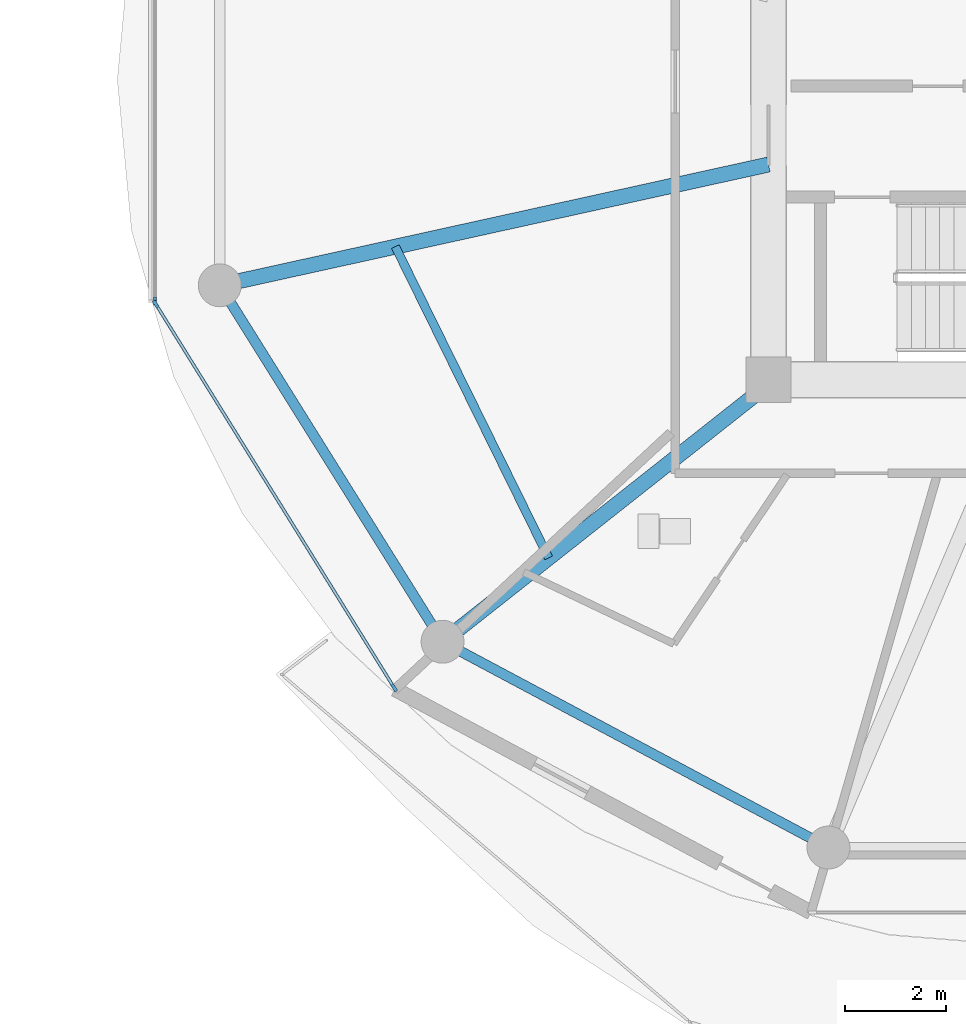
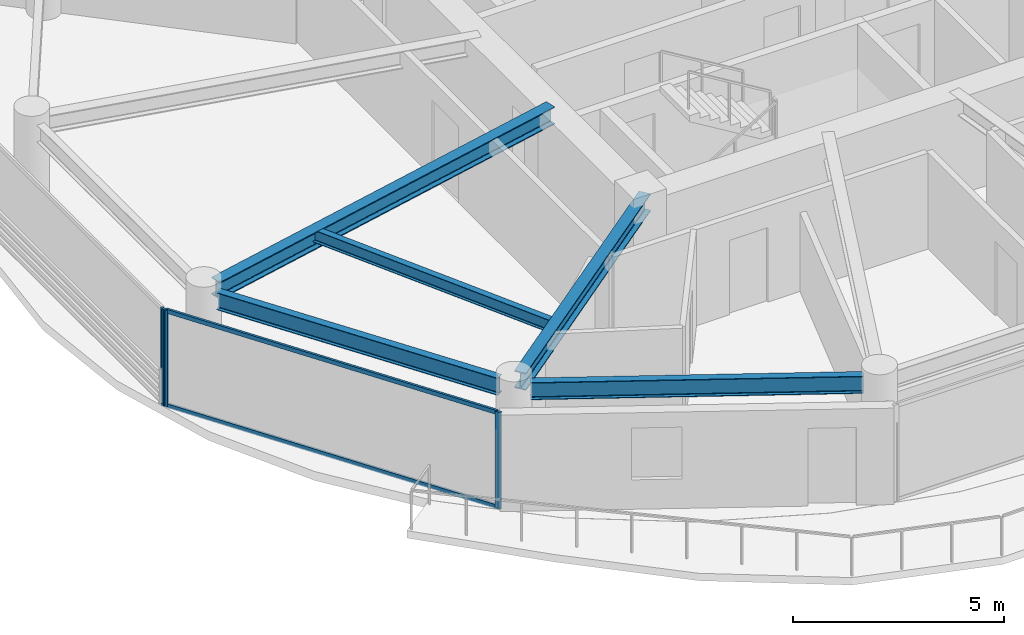
# One storey, part 6 of 25: 5 beams, 5 members, 2 elements without a shape of their own.
"""IFC4 building model written with IfcOpenShell, lengths in metres."""

from ifc_helpers import new_model, si_unit, direction, frame, origin, origin_2d, place, context, subcontext, project, spatial, rectangle, i_section, extrude, source, transform, mapped, material, layer, layer_set, material_profile, profile_set, type_object, type_shapes, element, aggregate, save


model = new_model("IFC4")

# Units and contexts
model_context = context("Model", 3, precision=1e-05, world=origin(), true_north=direction((0.0, 1.0)))
body_context = subcontext(model_context, "Body", "Model", "MODEL_VIEW")
ifc_project = project(units=[si_unit("LENGTHUNIT", "METRE"), si_unit("AREAUNIT", "SQUARE_METRE"), si_unit("VOLUMEUNIT", "CUBIC_METRE"), si_unit("PLANEANGLEUNIT", "RADIAN"), si_unit("MASSUNIT", "GRAM", prefix="KILO")], contexts=[model_context])

# Site, building, storey
site_placement = place(None, origin())
site = spatial("IfcSite", under=ifc_project, at=site_placement, CompositionType="ELEMENT")
building_placement = place(site_placement, origin())
building = spatial("IfcBuilding", under=site, at=building_placement, Name="Norrkilde Senior Care Towers", CompositionType="ELEMENT")
storey_placement = place(building_placement, frame((0.0, 0.0, 84.050048828125)))
storey = spatial("IfcBuildingStorey", under=building, at=storey_placement, Name="L25", CompositionType="ELEMENT", Elevation=84.050048828125)

# Beams
ifc_material_1 = material(Name="Steel S355", Category="steel")
ifc_material_profile_1 = material_profile(ifc_material_1, i_section(OverallWidth=0.199951171875, OverallDepth=0.5, WebThickness=0.01025390625, FlangeThickness=0.01611328125, FilletRadius=0.02099609375, at=origin_2d()), Name="IPE 500")
ifc_profile_set_1 = profile_set([ifc_material_profile_1], Name="Steel S355")
beam_type_1 = type_object("IfcBeamType", Name="Perimeter Ring Spandrel Z2 IPE500", PredefinedType="SPANDREL", material=ifc_profile_set_1)
shared_shape_1 = source(origin(), body_context, "Body", "SweptSolid", [
    extrude(i_section(OverallWidth=0.199951171875, OverallDepth=0.5, WebThickness=0.01025390625, FlangeThickness=0.01611328125, FilletRadius=0.02099609375, at=origin_2d()), origin(), (0.0, 0.0, 1.0), 7.55615234375),
])
beam_1_placement = place(storey_placement, frame((9.68505859375, -4.40283203125, 2.5400390625), z_axis=(0.529981514254, -0.848009194849, 0.0), x_axis=(0.848009194849, 0.529981514254, 0.0)))
element("IfcBeam", 1, at=beam_1_placement, inside=storey, type_object=beam_type_1, Name="L25 Drum E Perimeter Spandrel 07", PredefinedType="SPANDREL", context=body_context, shape_type="MappedRepresentation", body=[
    mapped(shared_shape_1, transform((0.0, 0.0, 0.0), x_axis=(1.0, 0.0, 0.0), y_axis=(0.0, 1.0, 0.0), z_axis=(0.0, 0.0, 1.0), scale=1.0)),
])
ifc_material_profile_2 = material_profile(ifc_material_1, i_section(OverallWidth=0.300048828125, OverallDepth=0.5, WebThickness=0.014404296875, FlangeThickness=0.028076171875, FilletRadius=0.027099609375, at=origin_2d()), Name="HEB 500")
ifc_profile_set_2 = profile_set([ifc_material_profile_2], Name="Steel S355")
beam_type_2 = type_object("IfcBeamType", Name="Radial Floor Beam Z2 HEB500", PredefinedType="BEAM", material=ifc_profile_set_2)
shared_shape_2 = source(origin(), body_context, "Body", "SweptSolid", [
    extrude(i_section(OverallWidth=0.300048828125, OverallDepth=0.5, WebThickness=0.014404296875, FlangeThickness=0.028076171875, FilletRadius=0.027099609375, at=origin_2d()), origin(), (0.0, 0.0, 1.0), 10.744384765625),
])
beam_2_placement = place(storey_placement, frame((20.35009765625, -1.683837890625, 2.5400390625), z_axis=(-0.976618711422, -0.214978818724, 0.0), x_axis=(0.214978818724, -0.976618711422, 0.0)))
element("IfcBeam", 2, at=beam_2_placement, inside=storey, type_object=beam_type_2, Name="L25 Drum E Radial Floor Beam 07", PredefinedType="BEAM", context=body_context, shape_type="MappedRepresentation", body=[
    mapped(shared_shape_2, transform((0.0, 0.0, 0.0), x_axis=(1.0, 0.0, 0.0), y_axis=(0.0, 1.0, 0.0), z_axis=(0.0, 0.0, 1.0), scale=1.0)),
])
shared_shape_3 = source(origin(), body_context, "Body", "SweptSolid", [
    extrude(i_section(OverallWidth=0.199951171875, OverallDepth=0.5, WebThickness=0.01025390625, FlangeThickness=0.01611328125, FilletRadius=0.02099609375, at=origin_2d()), origin(), (0.0, 0.0, 1.0), 7.892333984375),
])
type_shapes(beam_type_1, [shared_shape_1, shared_shape_3])
beam_3_placement = place(storey_placement, frame((14.233642578125, -11.318115234375, 2.5400390625), z_axis=(0.882350372282, -0.47059305194, 0.0), x_axis=(0.47059305194, 0.882350372282, 0.0)))
element("IfcBeam", 3, at=beam_3_placement, inside=storey, type_object=beam_type_1, Name="L25 Drum E Perimeter Spandrel 08", PredefinedType="SPANDREL", context=body_context, shape_type="MappedRepresentation", body=[
    mapped(shared_shape_3, transform((0.0, 0.0, 0.0), x_axis=(1.0, 0.0, 0.0), y_axis=(0.0, 1.0, 0.0), z_axis=(0.0, 0.0, 1.0), scale=1.0)),
])
shared_shape_4 = source(origin(), body_context, "Body", "SweptSolid", [
    extrude(i_section(OverallWidth=0.300048828125, OverallDepth=0.5, WebThickness=0.014404296875, FlangeThickness=0.028076171875, FilletRadius=0.027099609375, at=origin_2d()), origin(), (0.0, 0.0, 1.0), 7.985595703125),
])
type_shapes(beam_type_2, [shared_shape_2, shared_shape_4])
beam_4_placement = place(storey_placement, frame((20.463623046875, -5.949951171875, 2.5400390625), z_axis=(-0.784858505144, -0.619675017169, 0.0), x_axis=(0.619675017169, -0.784858505144, 0.0)))
element("IfcBeam", 4, at=beam_4_placement, inside=storey, type_object=beam_type_2, Name="L25 Drum E Radial Floor Beam 08", PredefinedType="BEAM", context=body_context, shape_type="MappedRepresentation", body=[
    mapped(shared_shape_4, transform((0.0, 0.0, 0.0), x_axis=(1.0, 0.0, 0.0), y_axis=(0.0, 1.0, 0.0), z_axis=(0.0, 0.0, 1.0), scale=1.0)),
])
ifc_material_profile_3 = material_profile(ifc_material_1, i_section(OverallWidth=0.169921875, OverallDepth=0.360107421875, WebThickness=0.008056640625, FlangeThickness=0.0126953125, FilletRadius=0.01806640625, at=origin_2d()), Name="IPE 360")
ifc_profile_set_3 = profile_set([ifc_material_profile_3], Name="Steel S355")
beam_type_3 = type_object("IfcBeamType", Name="Secondary Floor Joist IPE360", PredefinedType="JOIST", material=ifc_profile_set_3)
shared_shape_5 = source(origin(), body_context, "Body", "SweptSolid", [
    extrude(i_section(OverallWidth=0.169921875, OverallDepth=0.360107421875, WebThickness=0.008056640625, FlangeThickness=0.0126953125, FilletRadius=0.01806640625, at=origin_2d()), origin(), (0.0, 0.0, 1.0), 6.87353515625),
])
type_shapes(beam_type_3, [shared_shape_5])
beam_5_placement = place(storey_placement, frame((12.958984375, -3.310791015625, 2.60986328125), z_axis=(0.44184939592, -0.897089243791, 0.0), x_axis=(0.897089243791, 0.44184939592, 0.0)))
element("IfcBeam", 5, at=beam_5_placement, inside=storey, type_object=beam_type_3, Name="L25 Drum E Secondary Floor Joist 3", PredefinedType="JOIST", context=body_context, shape_type="MappedRepresentation", body=[
    mapped(shared_shape_5, transform((0.0, 0.0, 0.0), x_axis=(1.0, 0.0, 0.0), y_axis=(0.0, 1.0, 0.0), z_axis=(0.0, 0.0, 1.0), scale=1.0)),
])

# Curtain wall, member
ifc_material_2 = material(Name="Triple Low-E Insulated Glazing", Category="glass")
ifc_layer = layer(ifc_material_2, 0.195068359375)
ifc_layer_set = layer_set([ifc_layer], Name="Triple Low-E Insulated Glazing")
curtain_wall_type = type_object("IfcCurtainWallType", Name="CW3 Zone 2 Assisted Living Curtain Wall", PredefinedType="NOTDEFINED", material=ifc_layer_set)
curtain_wall_1_placement = place(storey_placement, origin())
curtain_wall_1 = element("IfcCurtainWall", 6, at=curtain_wall_1_placement, inside=storey, type_object=curtain_wall_type, Name="L25 Drum E Curtain Wall 05", PredefinedType="NOTDEFINED")
ifc_material_3 = material(Name="Anodised Aluminium", Category="aluminium")
ifc_material_profile_4 = material_profile(ifc_material_3, rectangle(XDim=0.06494140625, YDim=0.159912109375, at=origin_2d()), Name="ALU MULL 65x160")
ifc_profile_set_4 = profile_set([ifc_material_profile_4], Name="Anodised Aluminium")
member_type_1 = type_object("IfcMemberType", Name="Curtain Wall Mullion Z1-Z2 65x160", PredefinedType="MULLION", material=ifc_profile_set_4)
shared_shape_6 = source(origin(), body_context, "Body", "SweptSolid", [
    extrude(rectangle(XDim=0.06494140625, YDim=0.159912109375, at=origin_2d()), origin(), (0.0, 0.0, 1.0), 2.7900390625),
])
type_shapes(member_type_1, [shared_shape_6])
member_1_placement = place(storey_placement, frame((8.1962890625, -4.38818359375, 0.0), z_axis=(0.0, 0.0, 1.0), x_axis=(-1.0, 0.0, 0.0)))
member_1 = element("IfcMember", 7, at=member_1_placement, type_object=member_type_1, Name="CW-3 mullion 1", PredefinedType="MULLION", context=body_context, shape_type="MappedRepresentation", body=[
    mapped(shared_shape_6, transform((0.0, 0.0, 0.0), x_axis=(1.0, 0.0, 0.0), y_axis=(0.0, 1.0, 0.0), z_axis=(0.0, 0.0, 1.0), scale=1.0)),
])
aggregate(curtain_wall_1, [member_1])

# Curtain wall, members
curtain_wall_2_placement = place(storey_placement, origin())
curtain_wall_2 = element("IfcCurtainWall", 8, at=curtain_wall_2_placement, inside=storey, type_object=curtain_wall_type, Name="L25 Drum E Curtain Wall 06", PredefinedType="NOTDEFINED")
member_2_placement = place(storey_placement, frame((12.936279296875, -12.0498046875, 0.0), z_axis=(0.0, 0.0, 1.0), x_axis=(-0.849410171862, -0.527733228002, 0.0)))
member_2 = element("IfcMember", 9, at=member_2_placement, type_object=member_type_1, Name="CW-3 mullion 1", PredefinedType="MULLION", context=body_context, shape_type="MappedRepresentation", body=[
    mapped(shared_shape_6, transform((0.0, 0.0, 0.0), x_axis=(1.0, 0.0, 0.0), y_axis=(0.0, 1.0, 0.0), z_axis=(0.0, 0.0, 1.0), scale=1.0)),
])
member_3_placement = place(storey_placement, frame((8.21337890625, -4.4482421875, 0.0), z_axis=(0.0, 0.0, 1.0), x_axis=(-0.849410171862, -0.527733228002, 0.0)))
member_3 = element("IfcMember", 10, at=member_3_placement, type_object=member_type_1, Name="CW-3 mullion 2", PredefinedType="MULLION", context=body_context, shape_type="MappedRepresentation", body=[
    mapped(shared_shape_6, transform((0.0, 0.0, 0.0), x_axis=(1.0, 0.0, 0.0), y_axis=(0.0, 1.0, 0.0), z_axis=(0.0, 0.0, 1.0), scale=1.0)),
])
ifc_material_profile_5 = material_profile(ifc_material_3, rectangle(XDim=0.06005859375, YDim=0.1201171875, at=origin_2d()), Name="ALU TRAN 60x120")
ifc_profile_set_5 = profile_set([ifc_material_profile_5], Name="Anodised Aluminium")
member_type_2 = type_object("IfcMemberType", Name="Curtain Wall Transom Typical 60x120", PredefinedType="USERDEFINED", material=ifc_profile_set_5)
shared_shape_7 = source(origin(), body_context, "Body", "SweptSolid", [
    extrude(rectangle(XDim=0.06005859375, YDim=0.1201171875, at=origin_2d()), origin(), (0.0, 0.0, 1.0), 8.88427734375),
])
type_shapes(member_type_2, [shared_shape_7])
member_4_placement = place(storey_placement, frame((12.919189453125, -12.022216796875, 0.030029296875), z_axis=(-0.527749293309, 0.849400190377, 0.0), x_axis=(-0.849400190377, -0.527749293309, 0.0)))
member_4 = element("IfcMember", 11, at=member_4_placement, type_object=member_type_2, Name="CW-3 transom 1.1", ObjectType="TRANSOM", PredefinedType="USERDEFINED", context=body_context, shape_type="MappedRepresentation", body=[
    mapped(shared_shape_7, transform((0.0, 0.0, 0.0), x_axis=(1.0, 0.0, 0.0), y_axis=(0.0, 1.0, 0.0), z_axis=(0.0, 0.0, 1.0), scale=1.0)),
])
member_5_placement = place(storey_placement, frame((12.919189453125, -12.022216796875, 2.760009765625), z_axis=(-0.527749293309, 0.849400190377, 0.0), x_axis=(-0.849400190377, -0.527749293309, 0.0)))
member_5 = element("IfcMember", 12, at=member_5_placement, type_object=member_type_2, Name="CW-3 transom 1.2", ObjectType="TRANSOM", PredefinedType="USERDEFINED", context=body_context, shape_type="MappedRepresentation", body=[
    mapped(shared_shape_7, transform((0.0, 0.0, 0.0), x_axis=(1.0, 0.0, 0.0), y_axis=(0.0, 1.0, 0.0), z_axis=(0.0, 0.0, 1.0), scale=1.0)),
])
aggregate(curtain_wall_2, [member_2, member_3, member_4, member_5])

save(model, "model.ifc")
